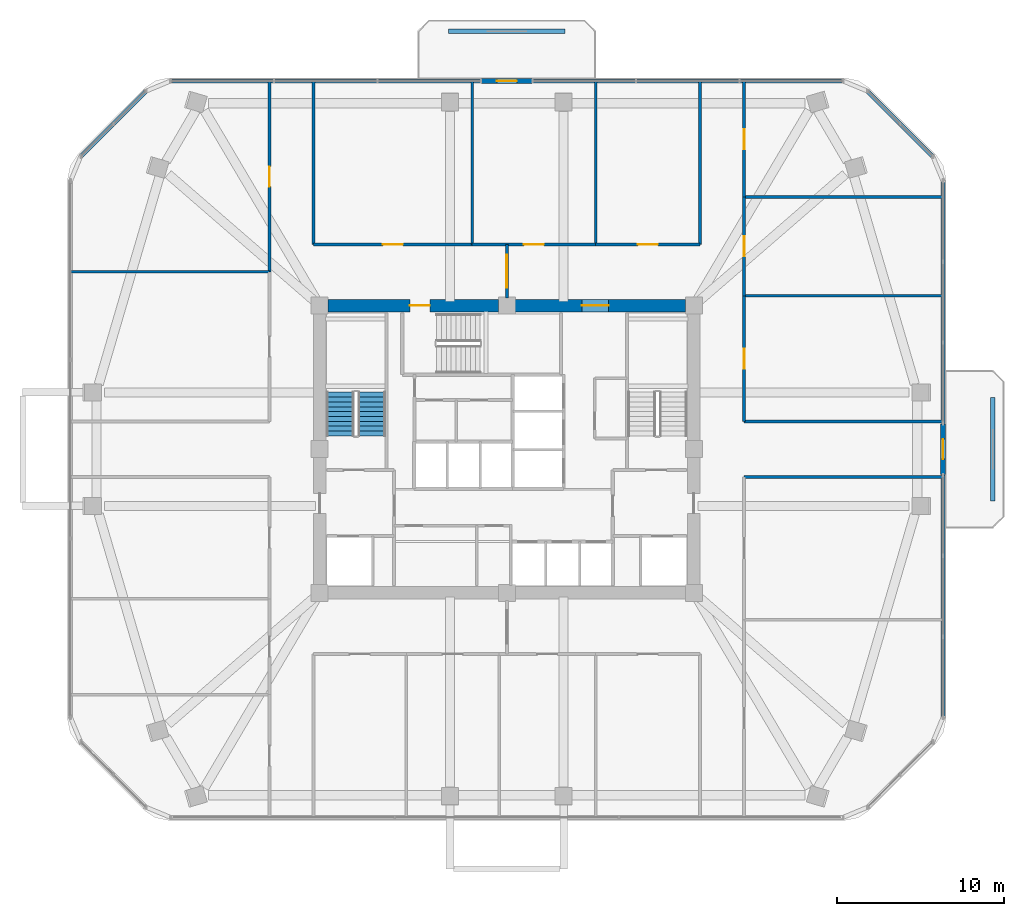
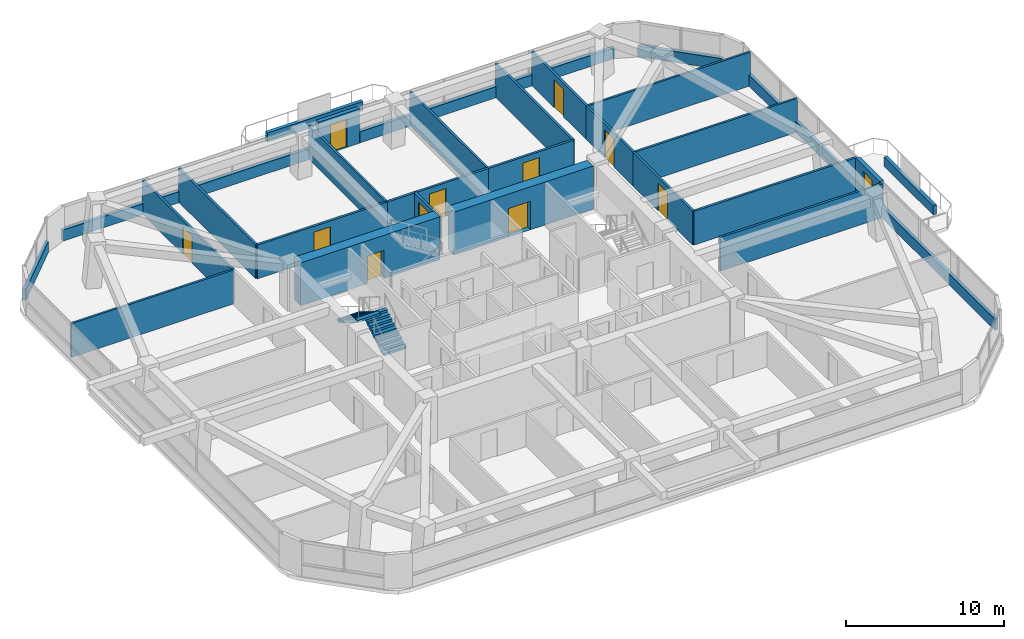
# One storey, part 11 of 14: 29 walls, 12 doors, 2 stair flights, 12 openings, 1 element without a shape of its own.
"""IFC4 building model written with IfcOpenShell, lengths in metres."""

import ifcopenshell
import ifcopenshell.guid

model = None  # the IFC model being written
_history = None  # IfcOwnerHistory: only IFC2X3 demands one
_inside = {}  # id of a spatial element -> (the spatial element, [elements in it])
_under = {}  # id of a project, library or spatial element -> (it, [spatial elements below it])
_declared = {}  # id of a project -> (the project, [libraries it declares])
_typed = {}  # id of a type object -> (the type object, [elements of that type])
_made_of = {}  # id of a material, layer set ... -> (it, [elements and type objects made of it])


def new_model(schema):
    """Start an empty IFC model of exactly this schema.

    Asked for "IFC4X3", IfcOpenShell would pick the latest addendum, in which some entities
    have other attributes; the version numbers below select the first issue.
    IFC2X3 requires an IfcOwnerHistory on every rooted entity: one is made here for all.
    """
    global model, _history
    if schema == "IFC4X3":
        model = ifcopenshell.file(schema_version=(4, 3, 0, 0))
    else:
        model = ifcopenshell.file(schema=schema)
    _inside.clear()
    _under.clear()
    _declared.clear()
    _typed.clear()
    _made_of.clear()
    _history = None
    if model.schema == "IFC2X3":
        org = make("IfcOrganization", Name="unknown")
        user = make(
            "IfcPersonAndOrganization",
            ThePerson=make("IfcPerson", FamilyName="unknown"),
            TheOrganization=org,
        )
        app = make(
            "IfcApplication",
            ApplicationDeveloper=org,
            Version="unknown",
            ApplicationFullName="unknown",
            ApplicationIdentifier="unknown",
        )
        _history = make(
            "IfcOwnerHistory",
            OwningUser=user,
            OwningApplication=app,
            ChangeAction="ADDED",
            CreationDate=0,
        )
    return model


def make(cls, **values):
    """One entity of the class cls with the attributes given. An attribute that is None is left unset."""
    return model.create_entity(
        cls, **{name: value for name, value in values.items() if value is not None}
    )


def rooted(cls, **values):
    """An entity with a GlobalId (a new one), such as an element, a storey or a relation."""
    return make(cls, GlobalId=ifcopenshell.guid.new(), OwnerHistory=_history, **values)


def si_unit(unit_type, name, prefix=None):
    """IfcSIUnit, for example si_unit("LENGTHUNIT", "METRE", prefix="MILLI")."""
    return make("IfcSIUnit", UnitType=unit_type, Prefix=prefix, Name=name)


def derived_unit(unit_type, elements):
    """IfcDerivedUnit: a product of units, each with its exponent."""
    return make(
        "IfcDerivedUnit",
        Elements=[
            make("IfcDerivedUnitElement", Unit=unit, Exponent=power)
            for unit, power in elements
        ],
        UnitType=unit_type,
    )


def assignment(units):
    """IfcUnitAssignment: the units of a project."""
    return None if units is None else make("IfcUnitAssignment", Units=units)


def point(xyz):
    """IfcCartesianPoint."""
    return None if xyz is None else make("IfcCartesianPoint", Coordinates=xyz)


def direction(xyz):
    """IfcDirection."""
    return None if xyz is None else make("IfcDirection", DirectionRatios=xyz)


def frame(location, z_axis=None, x_axis=None):
    """IfcAxis2Placement3D, a coordinate frame: its origin and axes. An axis left out is left unset."""
    return make(
        "IfcAxis2Placement3D",
        Location=point(location),
        Axis=direction(z_axis),
        RefDirection=direction(x_axis),
    )


def frame_2d(location, x_axis=None):
    """IfcAxis2Placement2D, a coordinate frame in the plane: its origin and x axis."""
    return make(
        "IfcAxis2Placement2D", Location=point(location), RefDirection=direction(x_axis)
    )


def origin():
    """The frame at (0, 0, 0) with its axes left unset."""
    return frame((0.0, 0.0, 0.0))


def place(relative_to, where):
    """IfcLocalPlacement: puts the frame where relative to a parent placement (None: the world)."""
    return make(
        "IfcLocalPlacement", PlacementRelTo=relative_to, RelativePlacement=where
    )


def context(
    kind, dimensions, precision=None, world=None, true_north=None, identifier=None
):
    """IfcGeometricRepresentationContext, for example the 3D "Model" context."""
    return make(
        "IfcGeometricRepresentationContext",
        ContextIdentifier=identifier,
        ContextType=kind,
        CoordinateSpaceDimension=dimensions,
        Precision=precision,
        WorldCoordinateSystem=world,
        TrueNorth=true_north,
    )


def subcontext(parent, identifier, kind, view, scale=None):
    """IfcGeometricRepresentationSubContext, for example "Body" below "Model"."""
    return make(
        "IfcGeometricRepresentationSubContext",
        ContextIdentifier=identifier,
        ContextType=kind,
        ParentContext=parent,
        TargetScale=scale,
        TargetView=view,
    )


def project(units=None, contexts=None):
    """IfcProject with its units and contexts."""
    return rooted(
        "IfcProject",
        Name="project",
        RepresentationContexts=contexts,
        UnitsInContext=assignment(units),
    )


def spatial(cls, under=None, at=None, **own):
    """A site, building, storey or space (cls), placed at a placement, below another one or the project."""
    s = rooted(cls, ObjectPlacement=at, **own)
    if under is not None:
        _under.setdefault(under.id(), (under, []))[1].append(s)
    return s


def polyline(points):
    """IfcPolyline through the points."""
    return make("IfcPolyline", Points=[point(p) for p in points])


def profile(cls, at=None, kind="AREA", **sizes):
    """A parametric profile (cls). Its sizes go by their IFC names, for example OverallWidth=200.0."""
    return make(cls, ProfileType=kind, Position=at, **sizes)


def rectangle(**sizes):
    """IfcRectangleProfileDef."""
    return profile("IfcRectangleProfileDef", **sizes)


def outline(outer, holes=None, kind="AREA"):
    """IfcArbitraryClosedProfileDef: a profile drawn as a closed curve; with holes, ...WithVoids."""
    if holes is None:
        return make("IfcArbitraryClosedProfileDef", ProfileType=kind, OuterCurve=outer)
    return make(
        "IfcArbitraryProfileDefWithVoids",
        ProfileType=kind,
        OuterCurve=outer,
        InnerCurves=holes,
    )


def extrude(swept, where, along, depth):
    """IfcExtrudedAreaSolid: the profile swept, set in the frame where, extruded along a direction by depth."""
    return make(
        "IfcExtrudedAreaSolid",
        SweptArea=swept,
        Position=where,
        ExtrudedDirection=direction(along),
        Depth=depth,
    )


def shape(context_of_items, identifier, shape_type, items):
    """IfcShapeRepresentation: the items that make up one representation, for example the "Body"."""
    return make(
        "IfcShapeRepresentation",
        ContextOfItems=context_of_items,
        RepresentationIdentifier=identifier,
        RepresentationType=shape_type,
        Items=items,
    )


def material(Name=None, Category=None):
    """IfcMaterial."""
    return make("IfcMaterial", Name=Name, Category=Category)


def layer(
    of_material, thickness, ventilated=None, Name=None, Category=None, Priority=None
):
    """IfcMaterialLayer: one layer of a wall or slab, of a material (None: an air gap)."""
    return make(
        "IfcMaterialLayer",
        Material=of_material,
        LayerThickness=thickness,
        IsVentilated=ventilated,
        Name=Name,
        Category=Category,
        Priority=Priority,
    )


def layer_set(layers, Name=None):
    """IfcMaterialLayerSet."""
    return make("IfcMaterialLayerSet", MaterialLayers=layers, LayerSetName=Name)


def made_of(thing, what):
    """Note that an element or type object is made of a material, layer set ...; save() writes the relation."""
    if what is not None:
        _made_of.setdefault(what.id(), (what, []))[1].append(thing)
    return thing


def type_object(cls, material=None, **own):
    """A type object (cls), such as IfcWallType, which elements share."""
    return made_of(rooted(cls, **own), material)


def element(
    cls,
    number,
    at=None,
    inside=None,
    cuts=None,
    type_object=None,
    material=None,
    context=None,
    identifier="Body",
    shape_type=None,
    held_by="IfcProductDefinitionShape",
    body=None,
    shapes=None,
    **own,
):
    """One element of the class cls, such as IfcWall. Its Tag is "e" and its number.

    at: its placement. inside: the storey or other place that contains it. cuts: it is an
    opening in that element (IfcRelVoidsElement). A single representation is given by context,
    identifier, shape_type and body (its items); several are given by shapes. held_by: the class
    of the entity that holds the representations. save() writes the other relations.
    """
    e = rooted(cls, Tag="e%d" % number, ObjectPlacement=at, **own)
    if body is not None:
        shapes = [shape(context, identifier, shape_type, body)]
    if shapes is not None:
        e.Representation = make(held_by, Representations=shapes)
    if inside is not None:
        _inside.setdefault(inside.id(), (inside, []))[1].append(e)
    if cuts is not None:
        rooted(
            "IfcRelVoidsElement", RelatingBuildingElement=cuts, RelatedOpeningElement=e
        )
    if type_object is not None:
        _typed.setdefault(type_object.id(), (type_object, []))[1].append(e)
    return made_of(e, material)


def fill(opening, filler):
    """IfcRelFillsElement: the door or window that sits in an opening."""
    return rooted(
        "IfcRelFillsElement",
        RelatingOpeningElement=opening,
        RelatedBuildingElement=filler,
    )


def aggregate(whole, parts):
    """IfcRelAggregates: a whole, such as a stair, and the parts it consists of."""
    return rooted("IfcRelAggregates", RelatingObject=whole, RelatedObjects=parts)


def save(model, path):
    """Write the relations noted so far, then the file.

    IfcRelAggregates (storeys below a building ...), IfcRelContainedInSpatialStructure (elements
    in a storey), IfcRelDefinesByType, IfcRelAssociatesMaterial and IfcRelDeclares: one each for
    every whole, place, type object, material and project.
    """
    for whole, parts in _under.values():
        aggregate(whole, parts)
    for where, things in _inside.values():
        rooted(
            "IfcRelContainedInSpatialStructure",
            RelatedElements=things,
            RelatingStructure=where,
        )
    for kind, things in _typed.values():
        rooted("IfcRelDefinesByType", RelatedObjects=things, RelatingType=kind)
    for what, things in _made_of.values():
        rooted("IfcRelAssociatesMaterial", RelatedObjects=things, RelatingMaterial=what)
    for by, libraries in _declared.values():
        rooted("IfcRelDeclares", RelatingContext=by, RelatedDefinitions=libraries)
    model.write(path)


model = new_model("IFC4")

# Units and contexts
model_context = context("Model", 3, precision=1e-05, world=origin(), true_north=direction((0.0, 1.0)))
body_context = subcontext(model_context, "Body", "Model", "MODEL_VIEW")
ifc_project = project(units=[si_unit("LENGTHUNIT", "METRE"), si_unit("AREAUNIT", "SQUARE_METRE"), si_unit("VOLUMEUNIT", "CUBIC_METRE"), si_unit("PLANEANGLEUNIT", "RADIAN"), si_unit("MASSUNIT", "GRAM", prefix="KILO"), derived_unit("THERMALTRANSMITTANCEUNIT", [(si_unit("POWERUNIT", "WATT"), 1), (si_unit("LENGTHUNIT", "METRE"), -2), (si_unit("THERMODYNAMICTEMPERATUREUNIT", "KELVIN"), -1)])], contexts=[model_context])

# Site, building, storey
site_placement = place(None, origin())
site = spatial("IfcSite", under=ifc_project, at=site_placement, CompositionType="ELEMENT")
building_placement = place(site_placement, origin())
building = spatial("IfcBuilding", under=site, at=building_placement, Name="Koralith Skygarden Medical Center", CompositionType="ELEMENT")
storey_placement = place(building_placement, frame((0.0, 0.0, 95.580078125)))
storey = spatial("IfcBuildingStorey", under=building, at=storey_placement, Name="L24", CompositionType="ELEMENT", Elevation=95.580078125)

# Walls
ifc_material_1 = material(Name="Gypsum Board Partition")
ifc_layer_1 = layer(ifc_material_1, 0.14990234375)
ifc_layer_set_1 = layer_set([ifc_layer_1], Name="Gypsum Board Partition")
wall_type_1 = type_object("IfcWallType", Name="Clinical Acoustic Partition 150", PredefinedType="PARTITIONING", material=ifc_layer_set_1)
for number, where, z_axis, x_axis, name in (
    (1, (34.9189453125, 38.159912109375, 0.0), (0.0, 0.0, 1.0), (0.0, 1.0, 0.0), "L24 Clinical Acoustic Partition 150 W-PART-L24-N-01"),
    (2, (42.318115234375, 38.159912109375, 0.0), (0.0, 0.0, 1.0), (0.0, 1.0, 0.0), "L24 Clinical Acoustic Partition 150 W-PART-L24-N-02"),
):
    element("IfcWall", number, at=place(storey_placement, frame(where, z_axis=z_axis, x_axis=x_axis)), inside=storey, type_object=wall_type_1, Name=name, PredefinedType="PARTITIONING", context=body_context, shape_type="SweptSolid", body=[
        extrude(rectangle(XDim=9.76318359375, YDim=0.14990234375, at=frame_2d((4.881591796875, 0.0))), origin(), (0.0, 0.0, 1.0), 2.60986328125),
    ])
for number, where, z_axis, x_axis, name in (
    (3, (22.7900390625, 36.52001953125, 0.0), (0.0, 0.0, 1.0), (-1.0, 0.0, 0.0), "L24 Clinical Acoustic Partition 150 W-PART-L24-WN-01"),
    (4, (51.2099609375, 35.0859375, 0.0), (0.0, 0.0, 1.0), (1.0, 0.0, 0.0), "L24 Clinical Acoustic Partition 150 W-PART-L24-EN-01"),
    (5, (51.2099609375, 41.0, 0.0), (0.0, 0.0, 1.0), (1.0, 0.0, 0.0), "L24 Clinical Acoustic Partition 150 W-PART-L24-EN-02"),
):
    element("IfcWall", number, at=place(storey_placement, frame(where, z_axis=z_axis, x_axis=x_axis)), inside=storey, type_object=wall_type_1, Name=name, PredefinedType="PARTITIONING", context=body_context, shape_type="SweptSolid", body=[
        extrude(rectangle(XDim=11.885986328125, YDim=0.14990234375, at=frame_2d((5.94287109375, 0.0))), origin(), (0.0, 0.0, 1.0), 2.60986328125),
    ])
ifc_layer_2 = layer(ifc_material_1, 0.1650390625)
ifc_layer_set_2 = layer_set([ifc_layer_2], Name="Gypsum Board Partition")
wall_type_2 = type_object("IfcWallType", Name="Clinical Corridor Partition 165", PredefinedType="PARTITIONING", material=ifc_layer_set_2)
for number, where, z_axis, x_axis, name in (
    (6, (25.429931640625, 38.159912109375, 0.0), (0.0, 0.0, 1.0), (0.0, 1.0, 0.0), "L24 Clinical Corridor Partition 165 W-HCOR-L24-NW"),
    (7, (48.570068359375, 38.159912109375, 0.0), (0.0, 0.0, 1.0), (0.0, 1.0, 0.0), "L24 Clinical Corridor Partition 165 W-HCOR-L24-NE"),
):
    element("IfcWall", number, at=place(storey_placement, frame(where, z_axis=z_axis, x_axis=x_axis)), inside=storey, type_object=wall_type_2, Name=name, PredefinedType="PARTITIONING", context=body_context, shape_type="SweptSolid", body=[
        extrude(rectangle(XDim=9.76318359375, YDim=0.1650390625, at=frame_2d((4.881591796875, 0.0))), origin(), (0.0, 0.0, 1.0), 2.60986328125),
    ])
for number, where, z_axis, x_axis, name in (
    (8, (51.2099609375, 24.239990234375, 0.0), (0.0, 0.0, 1.0), (1.0, 0.0, 0.0), "L24 Clinical Corridor Partition 165 W-HCOR-L24-EWS-E"),
    (9, (51.2099609375, 27.56005859375, 0.0), (0.0, 0.0, 1.0), (1.0, 0.0, 0.0), "L24 Clinical Corridor Partition 165 W-HCOR-L24-EWN-E"),
):
    element("IfcWall", number, at=place(storey_placement, frame(where, z_axis=z_axis, x_axis=x_axis)), inside=storey, type_object=wall_type_2, Name=name, PredefinedType="PARTITIONING", context=body_context, shape_type="SweptSolid", body=[
        extrude(rectangle(XDim=11.885986328125, YDim=0.1650390625, at=frame_2d((5.94287109375, 0.0))), origin(), (0.0, 0.0, 1.0), 2.60986328125),
    ])

# Wall, opening, door
wall_1_placement = place(storey_placement, frame((25.429931640625, 38.159912109375, 0.0), z_axis=(0.0, 0.0, 1.0), x_axis=(1.0, 0.0, 0.0)))
wall_1 = element("IfcWall", 10, at=wall_1_placement, inside=storey, type_object=wall_type_2, Name="L24 Clinical Corridor Partition 165 W-CORR-L24-N-01", PredefinedType="PARTITIONING", context=body_context, shape_type="SweptSolid", body=[
    extrude(rectangle(XDim=9.489013671875, YDim=0.1650390625, at=frame_2d((4.74462890625, 0.0))), origin(), (0.0, 0.0, 1.0), 2.60986328125),
])
opening_1_placement = place(wall_1_placement, frame((4.14404296875, 0.0, 0.0)))
opening_1 = element("IfcOpeningElement", 11, at=opening_1_placement, cuts=wall_1, Name="Opening D-CLN", PredefinedType="OPENING", context=body_context, shape_type="SweptSolid", body=[
    extrude(rectangle(XDim=1.199951171875, YDim=2.14990234375, at=frame_2d((0.60009765625, 1.074951171875))), frame((0.0, 0.092529296875, 0.0), z_axis=(0.0, -1.0, 0.0), x_axis=(1.0, 0.0, 0.0)), (0.0, 0.0, 1.0), 0.18505859375),
])
ifc_material_2 = material(Name="Aluminium 6063-T6", Category="aluminium")
door_type_1 = type_object("IfcDoorType", Name="Clinical Corridor Door D-CLN 1200", OperationType="NOTDEFINED", PredefinedType="DOOR", material=ifc_material_2)
door_1_placement = place(opening_1_placement, origin())
door_1 = element("IfcDoor", 12, at=door_1_placement, inside=storey, type_object=door_type_1, Name="L24 Sterile Instrument Sub-Store 01 Door", OperationType="SINGLE_SWING_RIGHT", OverallHeight=2.14990234375, OverallWidth=1.199951171875, PredefinedType="DOOR", context=body_context, shape_type="SweptSolid", body=[
    extrude(rectangle(XDim=1.199951171875, YDim=2.14990234375, at=frame_2d((0.60009765625, 1.074951171875))), frame((0.0, 0.02490234375, 0.0), z_axis=(0.0, -1.0, 0.0), x_axis=(1.0, 0.0, 0.0)), (0.0, 0.0, 1.0), 0.050048828125),
])
fill(opening_1, door_1)

wall_2_placement = place(storey_placement, frame((34.9189453125, 38.159912109375, 0.0), z_axis=(0.0, 0.0, 1.0), x_axis=(1.0, 0.0, 0.0)))
wall_2 = element("IfcWall", 13, at=wall_2_placement, inside=storey, type_object=wall_type_2, Name="L24 Clinical Corridor Partition 165 W-CORR-L24-N-02", PredefinedType="PARTITIONING", context=body_context, shape_type="SweptSolid", body=[
    extrude(rectangle(XDim=7.399169921875, YDim=0.1650390625, at=frame_2d((3.69970703125, 0.0))), origin(), (0.0, 0.0, 1.0), 2.60986328125),
])
opening_2_placement = place(wall_2_placement, frame((3.10009765625, 0.0, 0.0)))
opening_2 = element("IfcOpeningElement", 14, at=opening_2_placement, cuts=wall_2, Name="Opening D-CLN", PredefinedType="OPENING", context=body_context, shape_type="SweptSolid", body=[
    extrude(rectangle(XDim=1.199951171875, YDim=2.14990234375, at=frame_2d((0.60009765625, 1.074951171875))), frame((0.0, 0.092529296875, 0.0), z_axis=(0.0, -1.0, 0.0), x_axis=(1.0, 0.0, 0.0)), (0.0, 0.0, 1.0), 0.18505859375),
])
door_2_placement = place(opening_2_placement, origin())
door_2 = element("IfcDoor", 15, at=door_2_placement, inside=storey, type_object=door_type_1, Name="L24 Patient and Family Sky-Garden Day Lounge 02 Door", OperationType="SINGLE_SWING_LEFT", OverallHeight=2.14990234375, OverallWidth=1.199951171875, PredefinedType="DOOR", context=body_context, shape_type="SweptSolid", body=[
    extrude(rectangle(XDim=1.199951171875, YDim=2.14990234375, at=frame_2d((0.60009765625, 1.074951171875))), frame((0.0, 0.02490234375, 0.0), z_axis=(0.0, -1.0, 0.0), x_axis=(1.0, 0.0, 0.0)), (0.0, 0.0, 1.0), 0.050048828125),
])
fill(opening_2, door_2)

wall_3_placement = place(storey_placement, frame((42.318115234375, 38.159912109375, 0.0), z_axis=(0.0, 0.0, 1.0), x_axis=(1.0, 0.0, 0.0)))
wall_3 = element("IfcWall", 16, at=wall_3_placement, inside=storey, type_object=wall_type_2, Name="L24 Clinical Corridor Partition 165 W-CORR-L24-N-03", PredefinedType="PARTITIONING", context=body_context, shape_type="SweptSolid", body=[
    extrude(rectangle(XDim=6.251953125, YDim=0.1650390625, at=frame_2d((3.1259765625, 0.0))), origin(), (0.0, 0.0, 1.0), 2.60986328125),
])
opening_3_placement = place(wall_3_placement, frame((2.52587890625, 0.0, 0.0)))
opening_3 = element("IfcOpeningElement", 17, at=opening_3_placement, cuts=wall_3, Name="Opening D-CLN", PredefinedType="OPENING", context=body_context, shape_type="SweptSolid", body=[
    extrude(rectangle(XDim=1.199951171875, YDim=2.14990234375, at=frame_2d((0.60009765625, 1.074951171875))), frame((0.0, 0.092529296875, 0.0), z_axis=(0.0, -1.0, 0.0), x_axis=(1.0, 0.0, 0.0)), (0.0, 0.0, 1.0), 0.18505859375),
])
door_3_placement = place(opening_3_placement, origin())
door_3 = element("IfcDoor", 18, at=door_3_placement, inside=storey, type_object=door_type_1, Name="L24 Orthopaedic Splint Supply Store 03 Door", OperationType="SINGLE_SWING_RIGHT", OverallHeight=2.14990234375, OverallWidth=1.199951171875, PredefinedType="DOOR", context=body_context, shape_type="SweptSolid", body=[
    extrude(rectangle(XDim=1.199951171875, YDim=2.14990234375, at=frame_2d((0.60009765625, 1.074951171875))), frame((0.0, 0.02490234375, 0.0), z_axis=(0.0, -1.0, 0.0), x_axis=(1.0, 0.0, 0.0)), (0.0, 0.0, 1.0), 0.050048828125),
])
fill(opening_3, door_3)

wall_4_placement = place(storey_placement, frame((22.7900390625, 36.52001953125, 0.0), z_axis=(0.0, 0.0, 1.0), x_axis=(0.0, 1.0, 0.0)))
wall_4 = element("IfcWall", 19, at=wall_4_placement, inside=storey, type_object=wall_type_2, Name="L24 Clinical Corridor Partition 165 W-CORR-L24-WN-02", PredefinedType="PARTITIONING", context=body_context, shape_type="SweptSolid", body=[
    extrude(rectangle(XDim=11.403076171875, YDim=0.1650390625, at=frame_2d((5.70166015625, 0.0))), origin(), (0.0, 0.0, 1.0), 2.60986328125),
])
opening_4_placement = place(wall_4_placement, frame((5.10107421875, 0.0, 0.0)))
opening_4 = element("IfcOpeningElement", 20, at=opening_4_placement, cuts=wall_4, Name="Opening D-CLN", PredefinedType="OPENING", context=body_context, shape_type="SweptSolid", body=[
    extrude(rectangle(XDim=1.199951171875, YDim=2.14990234375, at=frame_2d((0.60009765625, 1.074951171875))), frame((0.0, 0.092529296875, 0.0), z_axis=(0.0, -1.0, 0.0), x_axis=(1.0, 0.0, 0.0)), (0.0, 0.0, 1.0), 0.18505859375),
])
door_4_placement = place(opening_4_placement, frame((1.199951171875, 0.0, 0.0), z_axis=(0.0, 0.0, 1.0), x_axis=(-1.0, 0.0, 0.0)))
door_4 = element("IfcDoor", 21, at=door_4_placement, inside=storey, type_object=door_type_1, Name="L24 Cast and Dressing Treatment Room 12 Door", OperationType="SINGLE_SWING_LEFT", OverallHeight=2.14990234375, OverallWidth=1.199951171875, PredefinedType="DOOR", context=body_context, shape_type="SweptSolid", body=[
    extrude(rectangle(XDim=1.199951171875, YDim=2.14990234375, at=frame_2d((0.60009765625, 1.074951171875))), frame((0.0, 0.02490234375, 0.0), z_axis=(0.0, -1.0, 0.0), x_axis=(1.0, 0.0, 0.0)), (0.0, 0.0, 1.0), 0.050048828125),
])
fill(opening_4, door_4)

wall_5_placement = place(storey_placement, frame((51.2099609375, 27.56005859375, 0.0), z_axis=(0.0, 0.0, 1.0), x_axis=(0.0, 1.0, 0.0)))
wall_5 = element("IfcWall", 22, at=wall_5_placement, inside=storey, type_object=wall_type_2, Name="L24 Clinical Corridor Partition 165 W-CORR-L24-EN-01", PredefinedType="PARTITIONING", context=body_context, shape_type="SweptSolid", body=[
    extrude(rectangle(XDim=7.52587890625, YDim=0.1650390625, at=frame_2d((3.762939453125, 0.0))), origin(), (0.0, 0.0, 1.0), 2.60986328125),
])
opening_5_placement = place(wall_5_placement, frame((3.1630859375, 0.0, 0.0)))
opening_5 = element("IfcOpeningElement", 23, at=opening_5_placement, cuts=wall_5, Name="Opening D-CLN", PredefinedType="OPENING", context=body_context, shape_type="SweptSolid", body=[
    extrude(rectangle(XDim=1.199951171875, YDim=2.14990234375, at=frame_2d((0.60009765625, 1.074951171875))), frame((0.0, 0.092529296875, 0.0), z_axis=(0.0, -1.0, 0.0), x_axis=(1.0, 0.0, 0.0)), (0.0, 0.0, 1.0), 0.18505859375),
])
door_5_placement = place(opening_5_placement, origin())
door_5 = element("IfcDoor", 24, at=door_5_placement, inside=storey, type_object=door_type_1, Name="L24 Orthopaedic Splint Supply Store 15 Door", OperationType="SINGLE_SWING_RIGHT", OverallHeight=2.14990234375, OverallWidth=1.199951171875, PredefinedType="DOOR", context=body_context, shape_type="SweptSolid", body=[
    extrude(rectangle(XDim=1.199951171875, YDim=2.14990234375, at=frame_2d((0.60009765625, 1.074951171875))), frame((0.0, 0.02490234375, 0.0), z_axis=(0.0, -1.0, 0.0), x_axis=(1.0, 0.0, 0.0)), (0.0, 0.0, 1.0), 0.050048828125),
])
fill(opening_5, door_5)

wall_6_placement = place(storey_placement, frame((51.2099609375, 35.0859375, 0.0), z_axis=(0.0, 0.0, 1.0), x_axis=(0.0, 1.0, 0.0)))
wall_6 = element("IfcWall", 25, at=wall_6_placement, inside=storey, type_object=wall_type_2, Name="L24 Clinical Corridor Partition 165 W-CORR-L24-EN-02", PredefinedType="PARTITIONING", context=body_context, shape_type="SweptSolid", body=[
    extrude(rectangle(XDim=5.9140625, YDim=0.1650390625, at=frame_2d((2.95703125, 0.0))), origin(), (0.0, 0.0, 1.0), 2.60986328125),
])
opening_6_placement = place(wall_6_placement, frame((2.35693359375, 0.0, 0.0)))
opening_6 = element("IfcOpeningElement", 26, at=opening_6_placement, cuts=wall_6, Name="Opening D-CLN", PredefinedType="OPENING", context=body_context, shape_type="SweptSolid", body=[
    extrude(rectangle(XDim=1.199951171875, YDim=2.14990234375, at=frame_2d((0.60009765625, 1.074951171875))), frame((0.0, 0.092529296875, 0.0), z_axis=(0.0, -1.0, 0.0), x_axis=(1.0, 0.0, 0.0)), (0.0, 0.0, 1.0), 0.18505859375),
])
door_6_placement = place(opening_6_placement, origin())
door_6 = element("IfcDoor", 27, at=door_6_placement, inside=storey, type_object=door_type_1, Name="L24 Cast and Dressing Treatment Room 16 Door", OperationType="SINGLE_SWING_LEFT", OverallHeight=2.14990234375, OverallWidth=1.199951171875, PredefinedType="DOOR", context=body_context, shape_type="SweptSolid", body=[
    extrude(rectangle(XDim=1.199951171875, YDim=2.14990234375, at=frame_2d((0.60009765625, 1.074951171875))), frame((0.0, 0.02490234375, 0.0), z_axis=(0.0, -1.0, 0.0), x_axis=(1.0, 0.0, 0.0)), (0.0, 0.0, 1.0), 0.050048828125),
])
fill(opening_6, door_6)

wall_7_placement = place(storey_placement, frame((51.2099609375, 41.0, 0.0), z_axis=(0.0, 0.0, 1.0), x_axis=(0.0, 1.0, 0.0)))
wall_7 = element("IfcWall", 28, at=wall_7_placement, inside=storey, type_object=wall_type_2, Name="L24 Clinical Corridor Partition 165 W-CORR-L24-EN-03", PredefinedType="PARTITIONING", context=body_context, shape_type="SweptSolid", body=[
    extrude(rectangle(XDim=6.923095703125, YDim=0.1650390625, at=frame_2d((3.46142578125, 0.0))), origin(), (0.0, 0.0, 1.0), 2.60986328125),
])
opening_7_placement = place(wall_7_placement, frame((2.862060546875, 0.0, 0.0)))
opening_7 = element("IfcOpeningElement", 29, at=opening_7_placement, cuts=wall_7, Name="Opening D-CLN", PredefinedType="OPENING", context=body_context, shape_type="SweptSolid", body=[
    extrude(rectangle(XDim=1.199951171875, YDim=2.14990234375, at=frame_2d((0.60009765625, 1.074951171875))), frame((0.0, 0.092529296875, 0.0), z_axis=(0.0, -1.0, 0.0), x_axis=(1.0, 0.0, 0.0)), (0.0, 0.0, 1.0), 0.18505859375),
])
door_7_placement = place(opening_7_placement, origin())
door_7 = element("IfcDoor", 30, at=door_7_placement, inside=storey, type_object=door_type_1, Name="L24 Surgical Follow-Up Office 17 Door", OperationType="SINGLE_SWING_RIGHT", OverallHeight=2.14990234375, OverallWidth=1.199951171875, PredefinedType="DOOR", context=body_context, shape_type="SweptSolid", body=[
    extrude(rectangle(XDim=1.199951171875, YDim=2.14990234375, at=frame_2d((0.60009765625, 1.074951171875))), frame((0.0, 0.02490234375, 0.0), z_axis=(0.0, -1.0, 0.0), x_axis=(1.0, 0.0, 0.0)), (0.0, 0.0, 1.0), 0.050048828125),
])
fill(opening_7, door_7)

ifc_layer_3 = layer(ifc_material_1, 0.179931640625)
ifc_layer_set_3 = layer_set([ifc_layer_3], Name="Gypsum Board Partition")
wall_type_3 = type_object("IfcWallType", Name="Group I-2 Smoke Barrier Wall 180", PredefinedType="PARTITIONING", material=ifc_layer_set_3)
wall_8_placement = place(storey_placement, frame((37.0, 34.949951171875, 0.0), z_axis=(0.0, 0.0, 1.0), x_axis=(0.0, 1.0, 0.0)))
wall_8 = element("IfcWall", 31, at=wall_8_placement, inside=storey, type_object=wall_type_3, Name="L24 Group I-2 Smoke Barrier Wall 180 W-SMK-L24-N", PredefinedType="PARTITIONING", context=body_context, shape_type="SweptSolid", body=[
    extrude(rectangle(XDim=3.2099609375, YDim=0.179931640625, at=frame_2d((1.60498046875, 0.0))), origin(), (0.0, 0.0, 1.0), 2.60986328125),
])
opening_8_placement = place(wall_8_placement, frame((0.60498046875, 0.0, 0.0)))
opening_8 = element("IfcOpeningElement", 32, at=opening_8_placement, cuts=wall_8, Name="Opening D-SMK", PredefinedType="OPENING", context=body_context, shape_type="SweptSolid", body=[
    extrude(rectangle(XDim=2.0, YDim=2.199951171875, at=frame_2d((1.0, 1.10009765625))), frame((0.0, 0.099853515625, 0.0), z_axis=(0.0, -1.0, 0.0), x_axis=(1.0, 0.0, 0.0)), (0.0, 0.0, 1.0), 0.199951171875),
])
ifc_material_3 = material(Name="Steel ASTM A500 Grade C", Category="steel")
door_type_2 = type_object("IfcDoorType", Name="Cross-Corridor Double Smoke Door FD60S 2000", OperationType="NOTDEFINED", PredefinedType="DOOR", material=ifc_material_3)
door_8_placement = place(opening_8_placement, origin())
door_8 = element("IfcDoor", 33, at=door_8_placement, inside=storey, type_object=door_type_2, Name="L24 N Smoke Compartment Cross-Corridor Door", OperationType="DOUBLE_DOOR_SINGLE_SWING", OverallHeight=2.199951171875, OverallWidth=2.0, PredefinedType="DOOR", context=body_context, shape_type="SweptSolid", body=[
    extrude(rectangle(XDim=2.0, YDim=2.199951171875, at=frame_2d((1.0, 1.10009765625))), frame((0.0, 0.02490234375, 0.0), z_axis=(0.0, -1.0, 0.0), x_axis=(1.0, 0.0, 0.0)), (0.0, 0.0, 1.0), 0.050048828125),
])
fill(opening_8, door_8)

# Walls
ifc_material_4 = material(Name="Warm Oolitic Limestone Cladding", Category="masonry")
ifc_layer_4 = layer(ifc_material_4, 0.239990234375)
ifc_layer_set_4 = layer_set([ifc_layer_4], Name="Warm Oolitic Limestone Cladding")
wall_type_4 = type_object("IfcWallType", Name="Limestone Spandrel Sill Backup Wall 240", PredefinedType="SOLIDWALL", material=ifc_layer_set_4)
wall_9_placement = place(storey_placement, frame((63.114990234375, 9.83203125, 0.0), z_axis=(0.0, 0.0, 1.0), x_axis=(0.0, 1.0, 0.0)))
element("IfcWall", 34, at=wall_9_placement, inside=storey, type_object=wall_type_4, Name="L24 Sill Spandrel E-L", PredefinedType="SOLIDWALL", context=body_context, shape_type="SweptSolid", body=[
    extrude(rectangle(XDim=14.52685546875, YDim=0.239990234375, at=frame_2d((7.263427734375, 0.0))), origin(), (0.0, 0.0, 1.0), 0.849853515625),
])
wall_10_placement = place(storey_placement, frame((63.114990234375, 27.43896484375, 0.0), z_axis=(0.0, 0.0, 1.0), x_axis=(0.0, 1.0, 0.0)))
element("IfcWall", 35, at=wall_10_placement, inside=storey, type_object=wall_type_4, Name="L24 Sill Spandrel E-R", PredefinedType="SOLIDWALL", context=body_context, shape_type="SweptSolid", body=[
    extrude(rectangle(XDim=14.529052734375, YDim=0.239990234375, at=frame_2d((7.2646484375, 0.0))), origin(), (0.0, 0.0, 1.0), 0.849853515625),
])
wall_11_placement = place(storey_placement, frame((62.513916015625, 43.4189453125, 0.0), z_axis=(0.0, 0.0, 1.0), x_axis=(-0.707084777957, 0.707128783731, 0.0)))
element("IfcWall", 36, at=wall_11_placement, inside=storey, type_object=wall_type_4, Name="L24 Sill Spandrel NE", PredefinedType="SOLIDWALL", context=body_context, shape_type="SweptSolid", body=[
    extrude(rectangle(XDim=5.5478515625, YDim=0.239990234375, at=frame_2d((2.77392578125, 0.0))), origin(), (0.0, 0.0, 1.0), 0.849853515625),
])
for number, where, z_axis, x_axis, name in (
    (37, (57.139892578125, 47.943115234375, 0.0), (0.0, 0.0, 1.0), (-1.0, 0.0, 0.0), "L24 Sill Spandrel N-L"),
    (38, (35.4599609375, 47.943115234375, 0.0), (0.0, 0.0, 1.0), (-1.0, 0.0, 0.0), "L24 Sill Spandrel N-R"),
):
    element("IfcWall", number, at=place(storey_placement, frame(where, z_axis=z_axis, x_axis=x_axis)), inside=storey, type_object=wall_type_4, Name=name, PredefinedType="SOLIDWALL", context=body_context, shape_type="SweptSolid", body=[
        extrude(rectangle(XDim=18.599853515625, YDim=0.239990234375, at=frame_2d((9.2998046875, 0.0))), origin(), (0.0, 0.0, 1.0), 0.849853515625),
    ])
wall_12_placement = place(storey_placement, frame((15.408935546875, 47.342041015625, 0.0), z_axis=(0.0, 0.0, 1.0), x_axis=(-0.707084777957, -0.707128783731, 0.0)))
element("IfcWall", 39, at=wall_12_placement, inside=storey, type_object=wall_type_4, Name="L24 Sill Spandrel NW", PredefinedType="SOLIDWALL", context=body_context, shape_type="SweptSolid", body=[
    extrude(rectangle(XDim=5.5478515625, YDim=0.239990234375, at=frame_2d((2.77392578125, 0.0))), origin(), (0.0, 0.0, 1.0), 0.849853515625),
])

# Wall, opening, door
ifc_material_5 = material(Name="Concrete C70/85", Category="concrete")
ifc_layer_5 = layer(ifc_material_5, 0.75)
ifc_layer_set_5 = layer_set([ifc_layer_5], Name="Concrete C70/85")
wall_type_5 = type_object("IfcWallType", Name="Mid Core Shear Wall 750", PredefinedType="SHEAR", material=ifc_layer_set_5)
wall_13_placement = place(storey_placement, frame((47.695068359375, 34.5, 0.0), z_axis=(0.0, 0.0, 1.0), x_axis=(-1.0, 0.0, 0.0)))
wall_13 = element("IfcWall", 40, at=wall_13_placement, inside=storey, type_object=wall_type_5, Name="L24 Core Shear Wall Segment 5", PredefinedType="SHEAR", context=body_context, shape_type="SweptSolid", body=[
    extrude(rectangle(XDim=10.190185546875, YDim=0.75, at=frame_2d((5.09521484375, 0.0))), origin(), (0.0, 0.0, 1.0), 3.31982421875),
])
opening_9_placement = place(wall_13_placement, frame((4.594970703125, 0.0, 0.0)))
opening_9 = element("IfcOpeningElement", 41, at=opening_9_placement, cuts=wall_13, Name="Opening D-DBL", PredefinedType="OPENING", context=body_context, shape_type="SweptSolid", body=[
    extrude(rectangle(XDim=1.60009765625, YDim=2.199951171875, at=frame_2d((0.800048828125, 1.10009765625))), frame((0.0, 0.385009765625, 0.0), z_axis=(0.0, -1.0, 0.0), x_axis=(1.0, 0.0, 0.0)), (0.0, 0.0, 1.0), 0.77001953125),
])
door_type_3 = type_object("IfcDoorType", Name="Double Clinical Suite Door D-DBL 1600", OperationType="NOTDEFINED", PredefinedType="DOOR", material=ifc_material_2)
door_9_placement = place(opening_9_placement, frame((1.60009765625, 0.0, 0.0), z_axis=(0.0, 0.0, 1.0), x_axis=(-1.0, 0.0, 0.0)))
door_9 = element("IfcDoor", 42, at=door_9_placement, inside=storey, type_object=door_type_3, Name="L24 North-East Corridor to Elevator Lobby Door", OperationType="DOUBLE_DOOR_SINGLE_SWING", OverallHeight=2.199951171875, OverallWidth=1.60009765625, PredefinedType="DOOR", context=body_context, shape_type="SweptSolid", body=[
    extrude(rectangle(XDim=1.60009765625, YDim=2.199951171875, at=frame_2d((0.800048828125, 1.10009765625))), frame((0.0, 0.02490234375, 0.0), z_axis=(0.0, -1.0, 0.0), x_axis=(1.0, 0.0, 0.0)), (0.0, 0.0, 1.0), 0.050048828125),
])
fill(opening_9, door_9)

wall_14_placement = place(storey_placement, frame((36.4951171875, 34.5, 0.0), z_axis=(0.0, 0.0, 1.0), x_axis=(-1.0, 0.0, 0.0)))
wall_14 = element("IfcWall", 43, at=wall_14_placement, inside=storey, type_object=wall_type_5, Name="L24 Core Shear Wall Segment 6", PredefinedType="SHEAR", context=body_context, shape_type="SweptSolid", body=[
    extrude(rectangle(XDim=10.190185546875, YDim=0.75, at=frame_2d((5.09521484375, 0.0))), origin(), (0.0, 0.0, 1.0), 3.31982421875),
])
opening_10_placement = place(wall_14_placement, frame((4.094970703125, 0.0, 0.0)))
opening_10 = element("IfcOpeningElement", 44, at=opening_10_placement, cuts=wall_14, Name="Opening D-ST60", PredefinedType="OPENING", context=body_context, shape_type="SweptSolid", body=[
    extrude(rectangle(XDim=1.199951171875, YDim=2.14990234375, at=frame_2d((0.60009765625, 1.074951171875))), frame((0.0, 0.385009765625, 0.0), z_axis=(0.0, -1.0, 0.0), x_axis=(1.0, 0.0, 0.0)), (0.0, 0.0, 1.0), 0.77001953125),
])
door_type_4 = type_object("IfcDoorType", Name="Smokeproof Stair Fire Door FD60S 1200", OperationType="NOTDEFINED", PredefinedType="DOOR", material=ifc_material_3)
door_10_placement = place(opening_10_placement, frame((1.199951171875, 0.0, 0.0), z_axis=(0.0, 0.0, 1.0), x_axis=(-1.0, 0.0, 0.0)))
door_10 = element("IfcDoor", 45, at=door_10_placement, inside=storey, type_object=door_type_4, Name="L24 Exit Stair ST3 Fire Door", OperationType="SINGLE_SWING_LEFT", OverallHeight=2.14990234375, OverallWidth=1.199951171875, PredefinedType="DOOR", context=body_context, shape_type="SweptSolid", body=[
    extrude(rectangle(XDim=1.199951171875, YDim=2.14990234375, at=frame_2d((0.60009765625, 1.074951171875))), frame((0.0, 0.02490234375, 0.0), z_axis=(0.0, -1.0, 0.0), x_axis=(1.0, 0.0, 0.0)), (0.0, 0.0, 1.0), 0.050048828125),
])
fill(opening_10, door_10)

ifc_layer_6 = layer(ifc_material_4, 0.300048828125)
ifc_layer_set_6 = layer_set([ifc_layer_6], Name="Warm Oolitic Limestone Cladding")
wall_type_6 = type_object("IfcWallType", Name="Oolitic Limestone Insulated Facade Wall 300", PredefinedType="SOLIDWALL", material=ifc_layer_set_6)
wall_15_placement = place(storey_placement, frame((63.114990234375, 24.39892578125, 0.0), z_axis=(0.0, 0.0, 1.0), x_axis=(0.0, 1.0, 0.0)))
wall_15 = element("IfcWall", 46, at=wall_15_placement, inside=storey, type_object=wall_type_6, Name="L24 Terrace Portal Wall E", PredefinedType="SOLIDWALL", context=body_context, shape_type="SweptSolid", body=[
    extrude(rectangle(XDim=3.0, YDim=0.300048828125, at=frame_2d((1.5, 0.0))), origin(), (0.0, 0.0, 1.0), 2.669921875),
])
opening_11_placement = place(wall_15_placement, frame((0.89990234375, 0.0, 0.0)))
opening_11 = element("IfcOpeningElement", 47, at=opening_11_placement, cuts=wall_15, Name="Opening D-BAL", PredefinedType="OPENING", context=body_context, shape_type="SweptSolid", body=[
    extrude(rectangle(XDim=1.199951171875, YDim=2.199951171875, at=frame_2d((0.60009765625, 1.10009765625))), frame((0.0, 0.159912109375, 0.0), z_axis=(0.0, -1.0, 0.0), x_axis=(1.0, 0.0, 0.0)), (0.0, 0.0, 1.0), 0.320068359375),
])
door_type_5 = type_object("IfcDoorType", Name="Planted Balcony Glazed Terrace Door D-BAL 1200", OperationType="NOTDEFINED", PredefinedType="DOOR", material=ifc_material_2)
door_11_placement = place(opening_11_placement, origin())
door_11 = element("IfcDoor", 48, at=door_11_placement, inside=storey, type_object=door_type_5, Name="L24 E Outdoor Terrace Access Door", OperationType="SINGLE_SWING_LEFT", OverallHeight=2.199951171875, OverallWidth=1.199951171875, PredefinedType="DOOR", context=body_context, shape_type="SweptSolid", body=[
    extrude(rectangle(XDim=1.199951171875, YDim=2.199951171875, at=frame_2d((0.60009765625, 1.10009765625))), frame((0.0, 0.02490234375, 0.0), z_axis=(0.0, -1.0, 0.0), x_axis=(1.0, 0.0, 0.0)), (0.0, 0.0, 1.0), 0.050048828125),
])
fill(opening_11, door_11)

wall_16_placement = place(storey_placement, frame((38.5, 47.943115234375, 0.0), z_axis=(0.0, 0.0, 1.0), x_axis=(-1.0, 0.0, 0.0)))
wall_16 = element("IfcWall", 49, at=wall_16_placement, inside=storey, type_object=wall_type_6, Name="L24 Terrace Portal Wall N", PredefinedType="SOLIDWALL", context=body_context, shape_type="SweptSolid", body=[
    extrude(rectangle(XDim=3.0, YDim=0.300048828125, at=frame_2d((1.5, 0.0))), origin(), (0.0, 0.0, 1.0), 2.669921875),
])
opening_12_placement = place(wall_16_placement, frame((0.89990234375, 0.0, 0.0)))
opening_12 = element("IfcOpeningElement", 50, at=opening_12_placement, cuts=wall_16, Name="Opening D-BAL", PredefinedType="OPENING", context=body_context, shape_type="SweptSolid", body=[
    extrude(rectangle(XDim=1.199951171875, YDim=2.199951171875, at=frame_2d((0.60009765625, 1.10009765625))), frame((0.0, 0.159912109375, 0.0), z_axis=(0.0, -1.0, 0.0), x_axis=(1.0, 0.0, 0.0)), (0.0, 0.0, 1.0), 0.320068359375),
])
door_12_placement = place(opening_12_placement, origin())
door_12 = element("IfcDoor", 51, at=door_12_placement, inside=storey, type_object=door_type_5, Name="L24 N Outdoor Terrace Access Door", OperationType="SINGLE_SWING_LEFT", OverallHeight=2.199951171875, OverallWidth=1.199951171875, PredefinedType="DOOR", context=body_context, shape_type="SweptSolid", body=[
    extrude(rectangle(XDim=1.199951171875, YDim=2.199951171875, at=frame_2d((0.60009765625, 1.10009765625))), frame((0.0, 0.02490234375, 0.0), z_axis=(0.0, -1.0, 0.0), x_axis=(1.0, 0.0, 0.0)), (0.0, 0.0, 1.0), 0.050048828125),
])
fill(opening_12, door_12)

# Walls
ifc_material_6 = material(Name="Precast concrete C40/50", Category="concrete")
ifc_layer_7 = layer(ifc_material_6, 0.25)
ifc_layer_set_7 = layer_set([ifc_layer_7], Name="Precast concrete C40/50")
wall_type_7 = type_object("IfcWallType", Name="Structural Concrete Balcony Planter Kerb 250", PredefinedType="PARAPET", material=ifc_layer_set_7)
wall_17_placement = place(storey_placement, frame((33.5, 50.923095703125, 0.0), z_axis=(0.0, 0.0, 1.0), x_axis=(1.0, 0.0, 0.0)))
element("IfcWall", 52, at=wall_17_placement, inside=storey, type_object=wall_type_7, Name="L24 N Structural Tree PLANTER Box", PredefinedType="PARAPET", context=body_context, shape_type="SweptSolid", body=[
    extrude(rectangle(XDim=7.0, YDim=0.25, at=frame_2d((3.5, 0.0))), origin(), (0.0, 0.0, 1.0), 0.719970703125),
])
wall_18_placement = place(storey_placement, frame((66.095947265625, 22.800048828125, 0.0), z_axis=(0.0, 0.0, 1.0), x_axis=(0.0, 1.0, 0.0)))
element("IfcWall", 53, at=wall_18_placement, inside=storey, type_object=wall_type_7, Name="L24 E Structural Tree PLANTER Box", PredefinedType="PARAPET", context=body_context, shape_type="SweptSolid", body=[
    extrude(rectangle(XDim=6.199951171875, YDim=0.25, at=frame_2d((3.10009765625, 0.0))), origin(), (0.0, 0.0, 1.0), 0.719970703125),
])

# Stair, stair flights
ifc_material_7 = material(Name="Concrete C45/55", Category="concrete")
stair_type = type_object("IfcStairType", Name="Core Exit Dogleg Concrete Stair", PredefinedType="HALF_TURN_STAIR", material=ifc_material_7)
stair_placement = place(storey_placement, origin())
stair = element("IfcStair", 54, at=stair_placement, inside=storey, type_object=stair_type, Name="L24 Smokeproof Exit Stair ST1", PredefinedType="HALF_TURN_STAIR")
stair_flight_type = type_object("IfcStairFlightType", Name="Core Exit Concrete Stair Flight 1650", PredefinedType="STRAIGHT", material=ifc_material_7)
stair_flight_1_placement = place(storey_placement, frame((28.925048828125, 26.699951171875, 0.0), z_axis=(0.0, 0.0, 1.0), x_axis=(0.0, 1.0, 0.0)))
stair_flight_1 = element("IfcStairFlight", 55, at=stair_flight_1_placement, type_object=stair_flight_type, Name="ST1 flight 1", NumberOfRisers=10, NumberOfTreads=9, PredefinedType="STRAIGHT", RiserHeight=0.18, TreadLength=0.29, context=body_context, shape_type="SweptSolid", body=[
    extrude(outline(polyline([(0.0, 0.0), (0.0, 0.179931640625), (0.2900390625, 0.179931640625), (0.2900390625, 0.360107421875), (0.580078125, 0.360107421875), (0.580078125, 0.5400390625), (0.8701171875, 0.5400390625), (0.8701171875, 0.719970703125), (1.159912109375, 0.719970703125), (1.159912109375, 0.89990234375), (1.449951171875, 0.89990234375), (1.449951171875, 1.080078125), (1.739990234375, 1.080078125), (1.739990234375, 1.260009765625), (2.030029296875, 1.260009765625), (2.030029296875, 1.43994140625), (2.320068359375, 1.43994140625), (2.320068359375, 1.6201171875), (2.610107421875, 1.6201171875), (2.610107421875, 1.800048828125), (2.610107421875, 1.443603515625), (0.2841796875, 0.0), (0.0, 0.0)])), frame((0.0, 0.824951171875, 0.0), z_axis=(0.0, -1.0, 0.0), x_axis=(1.0, 0.0, 0.0)), (0.0, 0.0, 1.0), 1.64990234375),
])
stair_flight_2_placement = place(storey_placement, frame((27.02490234375, 29.31005859375, 1.7998046875), z_axis=(0.0, 0.0, 1.0), x_axis=(0.0, -1.0, 0.0)))
stair_flight_2 = element("IfcStairFlight", 56, at=stair_flight_2_placement, type_object=stair_flight_type, Name="ST1 flight 2", NumberOfRisers=10, NumberOfTreads=9, PredefinedType="STRAIGHT", RiserHeight=0.18, TreadLength=0.29, context=body_context, shape_type="SweptSolid", body=[
    extrude(outline(polyline([(0.0, 0.0), (0.0, 0.179931640625), (0.2900390625, 0.179931640625), (0.2900390625, 0.360107421875), (0.580078125, 0.360107421875), (0.580078125, 0.5400390625), (0.8701171875, 0.5400390625), (0.8701171875, 0.719970703125), (1.159912109375, 0.719970703125), (1.159912109375, 0.89990234375), (1.449951171875, 0.89990234375), (1.449951171875, 1.080078125), (1.739990234375, 1.080078125), (1.739990234375, 1.260009765625), (2.030029296875, 1.260009765625), (2.030029296875, 1.43994140625), (2.320068359375, 1.43994140625), (2.320068359375, 1.6201171875), (2.610107421875, 1.6201171875), (2.610107421875, 1.800048828125), (2.610107421875, 1.443603515625), (0.2841796875, 0.0), (0.0, 0.0)])), frame((0.0, 0.824951171875, 0.0), z_axis=(0.0, -1.0, 0.0), x_axis=(1.0, 0.0, 0.0)), (0.0, 0.0, 1.0), 1.64990234375),
])
aggregate(stair, [stair_flight_1, stair_flight_2])

save(model, "model.ifc")
